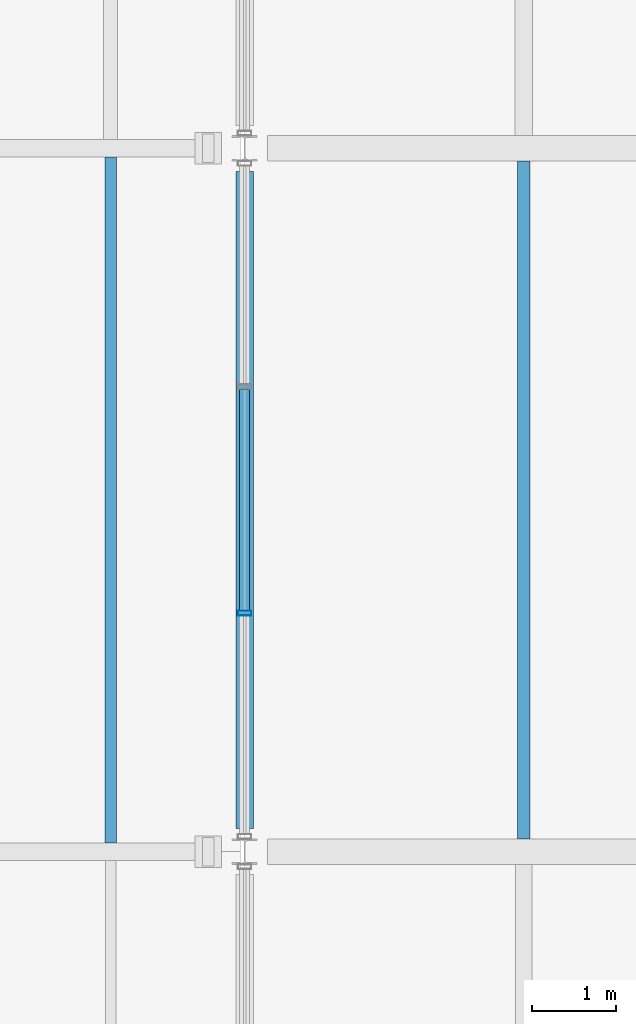
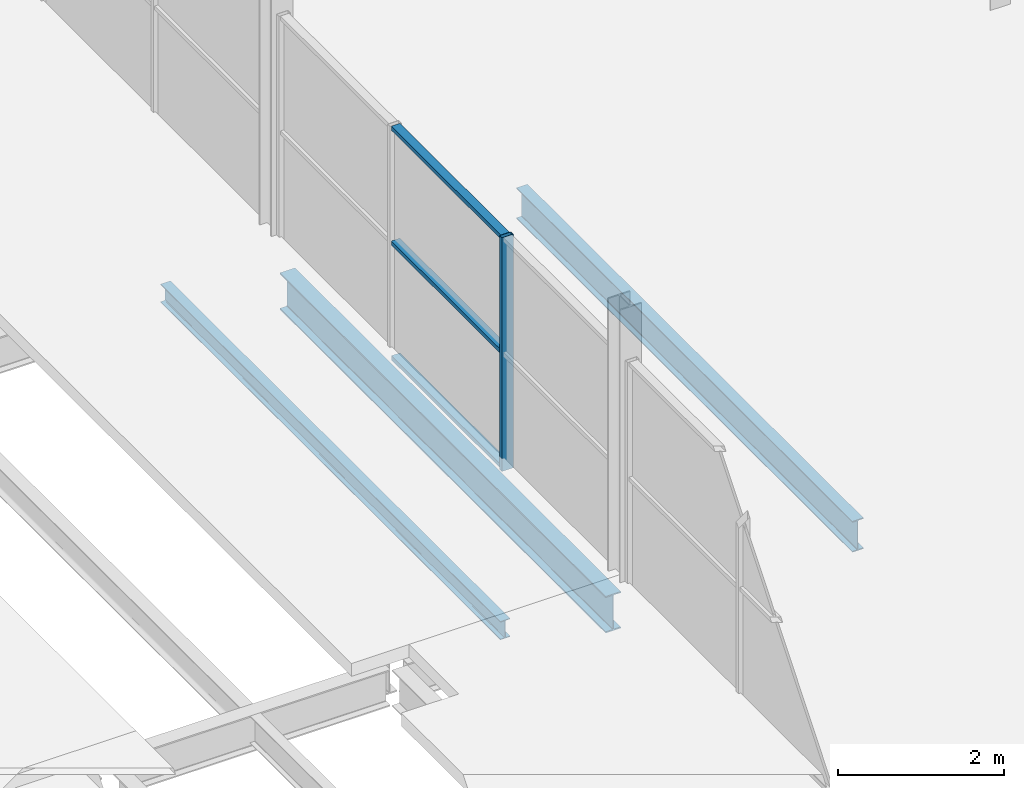
# One storey, part 102 of 161: 4 members, 3 beams, 1 element without a shape of its own.
"""IFC4 building model written with IfcOpenShell, lengths in metres."""

from ifc_helpers import new_model, si_unit, direction, frame, origin, origin_2d, place, context, subcontext, project, spatial, hollow_rectangle, i_section, extrude, material, material_profile, profile_set, type_object, element, aggregate, save


model = new_model("IFC4")

# Units and contexts
model_context = context("Model", 3, precision=1e-05, world=origin(), true_north=direction((0.0, 1.0)))
body_context = subcontext(model_context, "Body", "Model", "MODEL_VIEW")
ifc_project = project(units=[si_unit("LENGTHUNIT", "METRE"), si_unit("AREAUNIT", "SQUARE_METRE"), si_unit("VOLUMEUNIT", "CUBIC_METRE"), si_unit("PLANEANGLEUNIT", "RADIAN"), si_unit("MASSUNIT", "GRAM", prefix="KILO"), si_unit("THERMODYNAMICTEMPERATUREUNIT", "KELVIN")], contexts=[model_context])

# Site, building, storey
site_placement = place(None, origin())
site = spatial("IfcSite", under=ifc_project, at=site_placement, CompositionType="ELEMENT")
building_placement = place(site_placement, origin())
building = spatial("IfcBuilding", under=site, at=building_placement, Name="Nduvali Passage Aquatics Centre", CompositionType="ELEMENT")
storey_placement = place(building_placement, frame((0.0, 0.0, 4.800048828125)))
storey = spatial("IfcBuildingStorey", under=building, at=storey_placement, Name="L01", CompositionType="ELEMENT", Elevation=4.800048828125)

# Curtain wall, members
ifc_material_1 = material(Name="Aluminium EN AW-6063 T6", Category="aluminium")
curtain_wall_type = type_object("IfcCurtainWallType", Name="ENV-CW-FOYR", PredefinedType="NOTDEFINED", material=ifc_material_1)
curtain_wall_placement = place(storey_placement, origin())
curtain_wall = element("IfcCurtainWall", 1, at=curtain_wall_placement, inside=storey, type_object=curtain_wall_type, Name="L01 Passage Foyer Upper CW 074", PredefinedType="NOTDEFINED")
ifc_material_profile_1 = material_profile(ifc_material_1, hollow_rectangle(XDim=0.06005859375, YDim=0.159912109375, WallThickness=0.00390625, at=origin_2d()), Name="ALU MULLION 60x160x4")
ifc_profile_set_1 = profile_set([ifc_material_profile_1], Name="Aluminium EN AW-6063 T6")
member_type_1 = type_object("IfcMemberType", Name="ENV-MEM-MUL60", PredefinedType="MULLION", material=ifc_profile_set_1)
member_1_placement = place(storey_placement, frame((138.0, 61.64990234375, 0.0), z_axis=(0.0, 0.0, 1.0), x_axis=(0.0, 1.0, 0.0)))
member_1 = element("IfcMember", 2, at=member_1_placement, type_object=member_type_1, Name="Passage Foyer Upper CW Mullion 2", PredefinedType="MULLION", context=body_context, shape_type="SweptSolid", body=[
    extrude(hollow_rectangle(XDim=0.06005859375, YDim=0.159912109375, WallThickness=0.00390625, at=origin_2d()), origin(), (0.0, 0.0, 1.0), 3.436279296875),
])
ifc_material_profile_2 = material_profile(ifc_material_1, hollow_rectangle(XDim=0.1201171875, YDim=0.06005859375, WallThickness=0.00390625, at=origin_2d()), Name="ALU TRANSOM 120x60x4")
ifc_profile_set_2 = profile_set([ifc_material_profile_2], Name="Aluminium EN AW-6063 T6")
member_type_2 = type_object("IfcMemberType", Name="ENV-MEM-TRN60", PredefinedType="USERDEFINED", material=ifc_profile_set_2)
member_2_placement = place(storey_placement, frame((138.0, 61.679931640625, 0.030029296875), z_axis=(0.0, 1.0, 0.0), x_axis=(-1.0, 0.0, 0.0)))
member_2 = element("IfcMember", 3, at=member_2_placement, type_object=member_type_2, Name="Passage Foyer Upper CW Transom B2-R0", ObjectType="TRANSOM", PredefinedType="USERDEFINED", context=body_context, shape_type="SweptSolid", body=[
    extrude(hollow_rectangle(XDim=0.1201171875, YDim=0.06005859375, WallThickness=0.00390625, at=origin_2d()), origin(), (0.0, 0.0, 1.0), 2.64013671875),
])
member_3_placement = place(storey_placement, frame((138.0, 61.679931640625, 1.71826171875), z_axis=(0.0, 1.0, 0.0), x_axis=(-1.0, 0.0, 0.0)))
member_3 = element("IfcMember", 4, at=member_3_placement, type_object=member_type_2, Name="Passage Foyer Upper CW Transom B2-R1", ObjectType="TRANSOM", PredefinedType="USERDEFINED", context=body_context, shape_type="SweptSolid", body=[
    extrude(hollow_rectangle(XDim=0.1201171875, YDim=0.06005859375, WallThickness=0.00390625, at=origin_2d()), origin(), (0.0, 0.0, 1.0), 2.64013671875),
])
member_4_placement = place(storey_placement, frame((138.0, 61.679931640625, 3.40625), z_axis=(0.0, 1.0, 0.0), x_axis=(-1.0, 0.0, 0.0)))
member_4 = element("IfcMember", 5, at=member_4_placement, type_object=member_type_2, Name="Passage Foyer Upper CW Transom B2-R2", ObjectType="TRANSOM", PredefinedType="USERDEFINED", context=body_context, shape_type="SweptSolid", body=[
    extrude(hollow_rectangle(XDim=0.1201171875, YDim=0.06005859375, WallThickness=0.00390625, at=origin_2d()), origin(), (0.0, 0.0, 1.0), 2.64013671875),
])
aggregate(curtain_wall, [member_1, member_2, member_3, member_4])

# Beams
ifc_material_2 = material(Name="Steel S355", Category="steel")
ifc_material_profile_3 = material_profile(ifc_material_2, i_section(OverallWidth=0.210693359375, OverallDepth=0.53955078125, WebThickness=0.01171875, FlangeThickness=0.018798828125, FilletRadius=0.0126953125, at=origin_2d()), Name="UKB 533x210x109")
ifc_profile_set_3 = profile_set([ifc_material_profile_3], Name="Steel S355")
beam_type_1 = type_object("IfcBeamType", Name="STR-BM-UKB533-EXT", PredefinedType="BEAM", material=ifc_profile_set_3)
beam_1_placement = place(storey_placement, frame((138.0, 59.074951171875, -0.553955078125), z_axis=(0.0, 1.0, 0.0), x_axis=(-1.0, 0.0, 0.0)))
element("IfcBeam", 6, at=beam_1_placement, inside=storey, type_object=beam_type_1, Name="L01 Primary Y-Girder B6E-0662", PredefinedType="BEAM", context=body_context, shape_type="SweptSolid", body=[
    extrude(i_section(OverallWidth=0.210693359375, OverallDepth=0.53955078125, WebThickness=0.01171875, FlangeThickness=0.018798828125, FilletRadius=0.0126953125, at=origin_2d()), origin(), (0.0, 0.0, 1.0), 7.85009765625),
])
ifc_material_profile_4 = material_profile(ifc_material_2, i_section(OverallWidth=0.135009765625, OverallDepth=0.27001953125, WebThickness=0.006591796875, FlangeThickness=0.01025390625, FilletRadius=0.014892578125, at=origin_2d()), Name="IPE 270")
ifc_profile_set_4 = profile_set([ifc_material_profile_4], Name="Steel S355")
beam_type_2 = type_object("IfcBeamType", Name="STR-JST-IPE270", PredefinedType="JOIST", material=ifc_profile_set_4)
beam_2_placement = place(storey_placement, frame((136.39990234375, 58.905517578125, -0.13916015625), z_axis=(0.0, 1.0, 0.0), x_axis=(-1.0, 0.0, 0.0)))
element("IfcBeam", 7, at=beam_2_placement, inside=storey, type_object=beam_type_2, Name="L01 Secondary Joist J8-0774", PredefinedType="JOIST", context=body_context, shape_type="SweptSolid", body=[
    extrude(i_section(OverallWidth=0.135009765625, OverallDepth=0.27001953125, WebThickness=0.006591796875, FlangeThickness=0.01025390625, FilletRadius=0.014892578125, at=origin_2d()), origin(), (0.0, 0.0, 1.0), 8.18896484375),
])
ifc_material_profile_5 = material_profile(ifc_material_2, i_section(OverallWidth=0.15283203125, OverallDepth=0.45458984375, WebThickness=0.008056640625, FlangeThickness=0.01318359375, FilletRadius=0.01025390625, at=origin_2d()), Name="UKB 457x152x60")
ifc_profile_set_5 = profile_set([ifc_material_profile_5], Name="Steel S355")
beam_type_3 = type_object("IfcBeamType", Name="STR-JST-UKB457L", PredefinedType="JOIST", material=ifc_profile_set_5)
beam_3_placement = place(storey_placement, frame((141.333251953125, 58.952392578125, -0.51123046875), z_axis=(0.0, 1.0, 0.0), x_axis=(-1.0, 0.0, 0.0)))
element("IfcBeam", 8, at=beam_3_placement, inside=storey, type_object=beam_type_3, Name="L01 Secondary Joist J1A-0775", PredefinedType="JOIST", context=body_context, shape_type="SweptSolid", body=[
    extrude(i_section(OverallWidth=0.15283203125, OverallDepth=0.45458984375, WebThickness=0.008056640625, FlangeThickness=0.01318359375, FilletRadius=0.01025390625, at=origin_2d()), origin(), (0.0, 0.0, 1.0), 8.09521484375),
])

save(model, "model.ifc")
